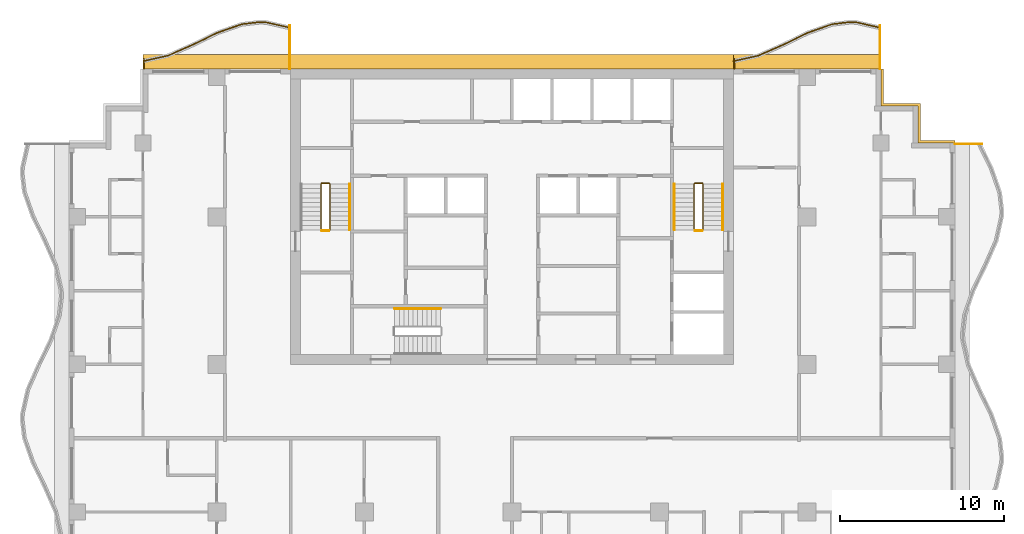
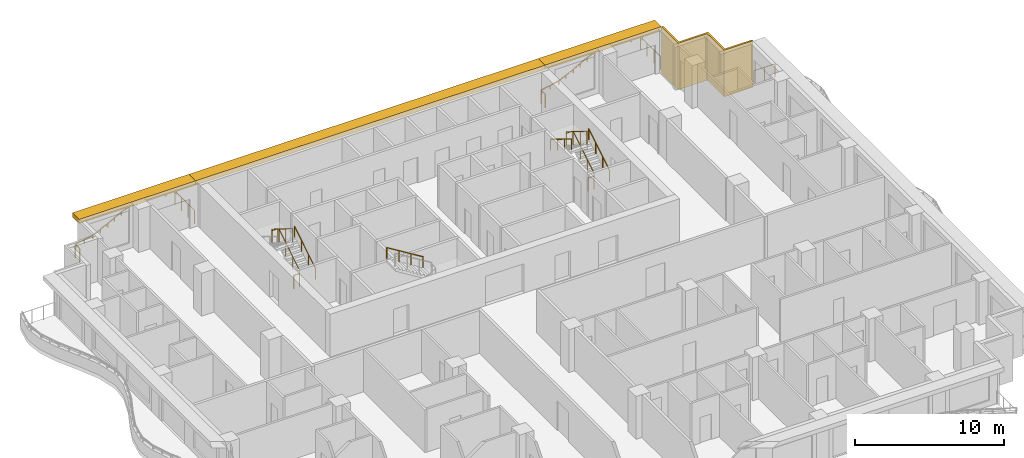
# One storey, part 12 of 12: 15 railings, 4 shading devices.
"""IFC4 building model written with IfcOpenShell, lengths in metres."""

import ifcopenshell
import ifcopenshell.guid

model = None  # the IFC model being written
_history = None  # IfcOwnerHistory: only IFC2X3 demands one
_inside = {}  # id of a spatial element -> (the spatial element, [elements in it])
_under = {}  # id of a project, library or spatial element -> (it, [spatial elements below it])
_declared = {}  # id of a project -> (the project, [libraries it declares])
_typed = {}  # id of a type object -> (the type object, [elements of that type])
_made_of = {}  # id of a material, layer set ... -> (it, [elements and type objects made of it])


def new_model(schema):
    """Start an empty IFC model of exactly this schema.

    Asked for "IFC4X3", IfcOpenShell would pick the latest addendum, in which some entities
    have other attributes; the version numbers below select the first issue.
    IFC2X3 requires an IfcOwnerHistory on every rooted entity: one is made here for all.
    """
    global model, _history
    if schema == "IFC4X3":
        model = ifcopenshell.file(schema_version=(4, 3, 0, 0))
    else:
        model = ifcopenshell.file(schema=schema)
    _inside.clear()
    _under.clear()
    _declared.clear()
    _typed.clear()
    _made_of.clear()
    _history = None
    if model.schema == "IFC2X3":
        org = make("IfcOrganization", Name="unknown")
        user = make(
            "IfcPersonAndOrganization",
            ThePerson=make("IfcPerson", FamilyName="unknown"),
            TheOrganization=org,
        )
        app = make(
            "IfcApplication",
            ApplicationDeveloper=org,
            Version="unknown",
            ApplicationFullName="unknown",
            ApplicationIdentifier="unknown",
        )
        _history = make(
            "IfcOwnerHistory",
            OwningUser=user,
            OwningApplication=app,
            ChangeAction="ADDED",
            CreationDate=0,
        )
    return model


def make(cls, **values):
    """One entity of the class cls with the attributes given. An attribute that is None is left unset."""
    return model.create_entity(
        cls, **{name: value for name, value in values.items() if value is not None}
    )


def rooted(cls, **values):
    """An entity with a GlobalId (a new one), such as an element, a storey or a relation."""
    return make(cls, GlobalId=ifcopenshell.guid.new(), OwnerHistory=_history, **values)


def si_unit(unit_type, name, prefix=None):
    """IfcSIUnit, for example si_unit("LENGTHUNIT", "METRE", prefix="MILLI")."""
    return make("IfcSIUnit", UnitType=unit_type, Prefix=prefix, Name=name)


def assignment(units):
    """IfcUnitAssignment: the units of a project."""
    return None if units is None else make("IfcUnitAssignment", Units=units)


def point(xyz):
    """IfcCartesianPoint."""
    return None if xyz is None else make("IfcCartesianPoint", Coordinates=xyz)


def direction(xyz):
    """IfcDirection."""
    return None if xyz is None else make("IfcDirection", DirectionRatios=xyz)


def frame(location, z_axis=None, x_axis=None):
    """IfcAxis2Placement3D, a coordinate frame: its origin and axes. An axis left out is left unset."""
    return make(
        "IfcAxis2Placement3D",
        Location=point(location),
        Axis=direction(z_axis),
        RefDirection=direction(x_axis),
    )


def frame_2d(location, x_axis=None):
    """IfcAxis2Placement2D, a coordinate frame in the plane: its origin and x axis."""
    return make(
        "IfcAxis2Placement2D", Location=point(location), RefDirection=direction(x_axis)
    )


def origin():
    """The frame at (0, 0, 0) with its axes left unset."""
    return frame((0.0, 0.0, 0.0))


def origin_2d():
    """The frame at (0, 0) in the plane with its x axis left unset."""
    return frame_2d((0.0, 0.0))


def place(relative_to, where):
    """IfcLocalPlacement: puts the frame where relative to a parent placement (None: the world)."""
    return make(
        "IfcLocalPlacement", PlacementRelTo=relative_to, RelativePlacement=where
    )


def context(
    kind, dimensions, precision=None, world=None, true_north=None, identifier=None
):
    """IfcGeometricRepresentationContext, for example the 3D "Model" context."""
    return make(
        "IfcGeometricRepresentationContext",
        ContextIdentifier=identifier,
        ContextType=kind,
        CoordinateSpaceDimension=dimensions,
        Precision=precision,
        WorldCoordinateSystem=world,
        TrueNorth=true_north,
    )


def subcontext(parent, identifier, kind, view, scale=None):
    """IfcGeometricRepresentationSubContext, for example "Body" below "Model"."""
    return make(
        "IfcGeometricRepresentationSubContext",
        ContextIdentifier=identifier,
        ContextType=kind,
        ParentContext=parent,
        TargetScale=scale,
        TargetView=view,
    )


def project(units=None, contexts=None):
    """IfcProject with its units and contexts."""
    return rooted(
        "IfcProject",
        Name="project",
        RepresentationContexts=contexts,
        UnitsInContext=assignment(units),
    )


def spatial(cls, under=None, at=None, **own):
    """A site, building, storey or space (cls), placed at a placement, below another one or the project."""
    s = rooted(cls, ObjectPlacement=at, **own)
    if under is not None:
        _under.setdefault(under.id(), (under, []))[1].append(s)
    return s


def polyline(points):
    """IfcPolyline through the points."""
    return make("IfcPolyline", Points=[point(p) for p in points])


def profile(cls, at=None, kind="AREA", **sizes):
    """A parametric profile (cls). Its sizes go by their IFC names, for example OverallWidth=200.0."""
    return make(cls, ProfileType=kind, Position=at, **sizes)


def rectangle(**sizes):
    """IfcRectangleProfileDef."""
    return profile("IfcRectangleProfileDef", **sizes)


def circle(**sizes):
    """IfcCircleProfileDef."""
    return profile("IfcCircleProfileDef", **sizes)


def outline(outer, holes=None, kind="AREA"):
    """IfcArbitraryClosedProfileDef: a profile drawn as a closed curve; with holes, ...WithVoids."""
    if holes is None:
        return make("IfcArbitraryClosedProfileDef", ProfileType=kind, OuterCurve=outer)
    return make(
        "IfcArbitraryProfileDefWithVoids",
        ProfileType=kind,
        OuterCurve=outer,
        InnerCurves=holes,
    )


def extrude(swept, where, along, depth):
    """IfcExtrudedAreaSolid: the profile swept, set in the frame where, extruded along a direction by depth."""
    return make(
        "IfcExtrudedAreaSolid",
        SweptArea=swept,
        Position=where,
        ExtrudedDirection=direction(along),
        Depth=depth,
    )


def shape(context_of_items, identifier, shape_type, items):
    """IfcShapeRepresentation: the items that make up one representation, for example the "Body"."""
    return make(
        "IfcShapeRepresentation",
        ContextOfItems=context_of_items,
        RepresentationIdentifier=identifier,
        RepresentationType=shape_type,
        Items=items,
    )


def material(Name=None, Category=None):
    """IfcMaterial."""
    return make("IfcMaterial", Name=Name, Category=Category)


def layer(
    of_material, thickness, ventilated=None, Name=None, Category=None, Priority=None
):
    """IfcMaterialLayer: one layer of a wall or slab, of a material (None: an air gap)."""
    return make(
        "IfcMaterialLayer",
        Material=of_material,
        LayerThickness=thickness,
        IsVentilated=ventilated,
        Name=Name,
        Category=Category,
        Priority=Priority,
    )


def layer_set(layers, Name=None):
    """IfcMaterialLayerSet."""
    return make("IfcMaterialLayerSet", MaterialLayers=layers, LayerSetName=Name)


def made_of(thing, what):
    """Note that an element or type object is made of a material, layer set ...; save() writes the relation."""
    if what is not None:
        _made_of.setdefault(what.id(), (what, []))[1].append(thing)
    return thing


def type_object(cls, material=None, **own):
    """A type object (cls), such as IfcWallType, which elements share."""
    return made_of(rooted(cls, **own), material)


def element(
    cls,
    number,
    at=None,
    inside=None,
    cuts=None,
    type_object=None,
    material=None,
    context=None,
    identifier="Body",
    shape_type=None,
    held_by="IfcProductDefinitionShape",
    body=None,
    shapes=None,
    **own,
):
    """One element of the class cls, such as IfcWall. Its Tag is "e" and its number.

    at: its placement. inside: the storey or other place that contains it. cuts: it is an
    opening in that element (IfcRelVoidsElement). A single representation is given by context,
    identifier, shape_type and body (its items); several are given by shapes. held_by: the class
    of the entity that holds the representations. save() writes the other relations.
    """
    e = rooted(cls, Tag="e%d" % number, ObjectPlacement=at, **own)
    if body is not None:
        shapes = [shape(context, identifier, shape_type, body)]
    if shapes is not None:
        e.Representation = make(held_by, Representations=shapes)
    if inside is not None:
        _inside.setdefault(inside.id(), (inside, []))[1].append(e)
    if cuts is not None:
        rooted(
            "IfcRelVoidsElement", RelatingBuildingElement=cuts, RelatedOpeningElement=e
        )
    if type_object is not None:
        _typed.setdefault(type_object.id(), (type_object, []))[1].append(e)
    return made_of(e, material)


def aggregate(whole, parts):
    """IfcRelAggregates: a whole, such as a stair, and the parts it consists of."""
    return rooted("IfcRelAggregates", RelatingObject=whole, RelatedObjects=parts)


def save(model, path):
    """Write the relations noted so far, then the file.

    IfcRelAggregates (storeys below a building ...), IfcRelContainedInSpatialStructure (elements
    in a storey), IfcRelDefinesByType, IfcRelAssociatesMaterial and IfcRelDeclares: one each for
    every whole, place, type object, material and project.
    """
    for whole, parts in _under.values():
        aggregate(whole, parts)
    for where, things in _inside.values():
        rooted(
            "IfcRelContainedInSpatialStructure",
            RelatedElements=things,
            RelatingStructure=where,
        )
    for kind, things in _typed.values():
        rooted("IfcRelDefinesByType", RelatedObjects=things, RelatingType=kind)
    for what, things in _made_of.values():
        rooted("IfcRelAssociatesMaterial", RelatedObjects=things, RelatingMaterial=what)
    for by, libraries in _declared.values():
        rooted("IfcRelDeclares", RelatingContext=by, RelatedDefinitions=libraries)
    model.write(path)


model = new_model("IFC4")

# Units and contexts
model_context = context("Model", 3, precision=1e-05, world=origin(), true_north=direction((0.0, 1.0)))
body_context = subcontext(model_context, "Body", "Model", "MODEL_VIEW")
ifc_project = project(units=[si_unit("LENGTHUNIT", "METRE"), si_unit("AREAUNIT", "SQUARE_METRE"), si_unit("VOLUMEUNIT", "CUBIC_METRE"), si_unit("PLANEANGLEUNIT", "RADIAN"), si_unit("MASSUNIT", "GRAM", prefix="KILO")], contexts=[model_context])

# Site, building, storey
site_placement = place(None, origin())
site = spatial("IfcSite", under=ifc_project, at=site_placement, CompositionType="ELEMENT")
building_placement = place(site_placement, origin())
building = spatial("IfcBuilding", under=site, at=building_placement, Name="Orbiselva Terraces", CompositionType="ELEMENT")
storey_placement = place(building_placement, frame((0.0, 0.0, 214.8)))
storey = spatial("IfcBuildingStorey", under=building, at=storey_placement, Name="L54", CompositionType="ELEMENT", Elevation=214.8)

# Railings
ifc_material_1 = material(Name="Stainless steel", Category="steel")
railing_type_1 = type_object("IfcRailingType", Name="CORE-GUARD-1100", PredefinedType="GUARDRAIL", material=ifc_material_1)
railing_1_placement = place(storey_placement, frame((-11.1, 12.7, 0.172727)))
element("IfcRailing", 1, at=railing_1_placement, inside=storey, type_object=railing_type_1, Name="L54 S1 stair guard 1", PredefinedType="GUARDRAIL", context=body_context, shape_type="SweptSolid", body=[
    extrude(circle(Radius=0.024, at=origin_2d()), frame((0.0, 0.0, 1.081), z_axis=(0.0, 0.851088519012, 0.52502222125), x_axis=(-1.0, 0.0, 0.0)), (0.0, 0.0, 1.0), 3.289905),
    extrude(circle(Radius=0.024, at=origin_2d()), frame((0.0, 2.8, 2.808273), z_axis=(-0.707106781187, 0.707106781187, 0.0), x_axis=(-0.707106781187, -0.707106781187, 0.0)), (0.0, 0.0, 1.0), 0.070711),
    extrude(circle(Radius=0.024, at=origin_2d()), frame((-0.05, 2.85, 2.808273), z_axis=(-1.0, 0.0, 0.0), x_axis=(0.0, -1.0, 0.0)), (0.0, 0.0, 1.0), 0.45),
    extrude(circle(Radius=0.024, at=origin_2d()), frame((-0.5, 2.85, 2.808273), z_axis=(-0.267894925557, -0.267894925557, 0.925453736133), x_axis=(0.707106781187, -0.707106781187, 0.0)), (0.0, 0.0, 1.0), 0.18664),
    extrude(circle(Radius=0.024, at=origin_2d()), frame((-0.55, 2.8, 2.981), z_axis=(0.0, -0.851088519012, 0.52502222125), x_axis=(1.0, 0.0, 0.0)), (0.0, 0.0, 1.0), 3.289905),
    extrude(circle(Radius=0.021, at=origin_2d()), origin(), (0.0, 0.0, 1.0), 1.057),
    extrude(circle(Radius=0.021, at=origin_2d()), frame((0.0, 0.933333, 0.575758)), (0.0, 0.0, 1.0), 1.057),
    extrude(circle(Radius=0.021, at=origin_2d()), frame((0.0, 1.866667, 1.151515)), (0.0, 0.0, 1.0), 1.057),
    extrude(circle(Radius=0.021, at=origin_2d()), frame((0.0, 2.8, 1.727273)), (0.0, 0.0, 1.0), 1.057),
    extrude(circle(Radius=0.021, at=origin_2d()), frame((-0.05, 2.85, 1.727273)), (0.0, 0.0, 1.0), 1.057),
    extrude(circle(Radius=0.021, at=origin_2d()), frame((-0.5, 2.85, 1.727273)), (0.0, 0.0, 1.0), 1.057),
    extrude(circle(Radius=0.021, at=origin_2d()), frame((-0.55, 2.8, 1.9)), (0.0, 0.0, 1.0), 1.057),
    extrude(circle(Radius=0.021, at=origin_2d()), frame((-0.55, 1.866667, 2.475758)), (0.0, 0.0, 1.0), 1.057),
    extrude(circle(Radius=0.021, at=origin_2d()), frame((-0.55, 0.933333, 3.051515)), (0.0, 0.0, 1.0), 1.057),
    extrude(circle(Radius=0.021, at=origin_2d()), frame((-0.55, 0.0, 3.627273)), (0.0, 0.0, 1.0), 1.057),
])
railing_2_placement = place(storey_placement, frame((-11.15, 12.65, 0.0)))
element("IfcRailing", 2, at=railing_2_placement, inside=storey, type_object=railing_type_1, Name="L54 S1 stair guard 2", PredefinedType="GUARDRAIL", context=body_context, shape_type="SweptSolid", body=[
    extrude(circle(Radius=0.024, at=origin_2d()), frame((0.0, 0.0, 1.081), z_axis=(-1.0, 0.0, 0.0), x_axis=(0.0, -1.0, 0.0)), (0.0, 0.0, 1.0), 0.45),
    extrude(circle(Radius=0.021, at=origin_2d()), origin(), (0.0, 0.0, 1.0), 1.057),
    extrude(circle(Radius=0.021, at=origin_2d()), frame((-0.45, 0.0, 0.0)), (0.0, 0.0, 1.0), 1.057),
])
railing_3_placement = place(storey_placement, frame((11.65, 12.7, 0.172727)))
element("IfcRailing", 3, at=railing_3_placement, inside=storey, type_object=railing_type_1, Name="L54 S2 stair guard 1", PredefinedType="GUARDRAIL", context=body_context, shape_type="SweptSolid", body=[
    extrude(circle(Radius=0.024, at=origin_2d()), frame((0.0, 0.0, 1.081), z_axis=(0.0, 0.851088519012, 0.52502222125), x_axis=(-1.0, 0.0, 0.0)), (0.0, 0.0, 1.0), 3.289905),
    extrude(circle(Radius=0.024, at=origin_2d()), frame((0.0, 2.8, 2.808273), z_axis=(-0.707106781187, 0.707106781187, 0.0), x_axis=(-0.707106781187, -0.707106781187, 0.0)), (0.0, 0.0, 1.0), 0.070711),
    extrude(circle(Radius=0.024, at=origin_2d()), frame((-0.05, 2.85, 2.808273), z_axis=(-1.0, 0.0, 0.0), x_axis=(0.0, -1.0, 0.0)), (0.0, 0.0, 1.0), 0.45),
    extrude(circle(Radius=0.024, at=origin_2d()), frame((-0.5, 2.85, 2.808273), z_axis=(-0.267894925557, -0.267894925557, 0.925453736133), x_axis=(0.707106781187, -0.707106781187, 0.0)), (0.0, 0.0, 1.0), 0.18664),
    extrude(circle(Radius=0.024, at=origin_2d()), frame((-0.55, 2.8, 2.981), z_axis=(0.0, -0.851088519012, 0.52502222125), x_axis=(1.0, 0.0, 0.0)), (0.0, 0.0, 1.0), 3.289905),
    extrude(circle(Radius=0.021, at=origin_2d()), origin(), (0.0, 0.0, 1.0), 1.057),
    extrude(circle(Radius=0.021, at=origin_2d()), frame((0.0, 0.933333, 0.575758)), (0.0, 0.0, 1.0), 1.057),
    extrude(circle(Radius=0.021, at=origin_2d()), frame((0.0, 1.866667, 1.151515)), (0.0, 0.0, 1.0), 1.057),
    extrude(circle(Radius=0.021, at=origin_2d()), frame((0.0, 2.8, 1.727273)), (0.0, 0.0, 1.0), 1.057),
    extrude(circle(Radius=0.021, at=origin_2d()), frame((-0.05, 2.85, 1.727273)), (0.0, 0.0, 1.0), 1.057),
    extrude(circle(Radius=0.021, at=origin_2d()), frame((-0.5, 2.85, 1.727273)), (0.0, 0.0, 1.0), 1.057),
    extrude(circle(Radius=0.021, at=origin_2d()), frame((-0.55, 2.8, 1.9)), (0.0, 0.0, 1.0), 1.057),
    extrude(circle(Radius=0.021, at=origin_2d()), frame((-0.55, 1.866667, 2.475758)), (0.0, 0.0, 1.0), 1.057),
    extrude(circle(Radius=0.021, at=origin_2d()), frame((-0.55, 0.933333, 3.051515)), (0.0, 0.0, 1.0), 1.057),
    extrude(circle(Radius=0.021, at=origin_2d()), frame((-0.55, 0.0, 3.627273)), (0.0, 0.0, 1.0), 1.057),
])
railing_4_placement = place(storey_placement, frame((11.6, 12.65, 0.0)))
element("IfcRailing", 4, at=railing_4_placement, inside=storey, type_object=railing_type_1, Name="L54 S2 stair guard 2", PredefinedType="GUARDRAIL", context=body_context, shape_type="SweptSolid", body=[
    extrude(circle(Radius=0.024, at=origin_2d()), frame((0.0, 0.0, 1.081), z_axis=(-1.0, 0.0, 0.0), x_axis=(0.0, -1.0, 0.0)), (0.0, 0.0, 1.0), 0.45),
    extrude(circle(Radius=0.021, at=origin_2d()), origin(), (0.0, 0.0, 1.0), 1.057),
    extrude(circle(Radius=0.021, at=origin_2d()), frame((-0.45, 0.0, 0.0)), (0.0, 0.0, 1.0), 1.057),
])
railing_type_2 = type_object("IfcRailingType", Name="CORE-HANDRAIL-900", PredefinedType="HANDRAIL", material=ifc_material_1)
for number, where, name in (
    (5, (-9.9, 12.7, 0.172727), "L54 S1 stair handrail 1"),
    (6, (12.85, 12.7, 0.172727), "L54 S2 stair handrail 1"),
):
    element("IfcRailing", number, at=place(storey_placement, frame(where)), inside=storey, type_object=railing_type_2, Name=name, PredefinedType="HANDRAIL", context=body_context, shape_type="SweptSolid", body=[
        extrude(circle(Radius=0.024, at=origin_2d()), frame((0.0, 0.0, 0.876), z_axis=(0.0, 0.851088519012, 0.52502222125), x_axis=(-1.0, 0.0, 0.0)), (0.0, 0.0, 1.0), 3.289905),
        extrude(circle(Radius=0.021, at=origin_2d()), origin(), (0.0, 0.0, 1.0), 0.852),
        extrude(circle(Radius=0.021, at=origin_2d()), frame((0.0, 0.933333, 0.575758)), (0.0, 0.0, 1.0), 0.852),
        extrude(circle(Radius=0.021, at=origin_2d()), frame((0.0, 1.866667, 1.151515)), (0.0, 0.0, 1.0), 0.852),
        extrude(circle(Radius=0.021, at=origin_2d()), frame((0.0, 2.8, 1.727273)), (0.0, 0.0, 1.0), 0.852),
    ])
railing_5_placement = place(storey_placement, frame((9.9, 15.5, 2.072727)))
element("IfcRailing", 7, at=railing_5_placement, inside=storey, type_object=railing_type_2, Name="L54 S2 stair handrail 2", PredefinedType="HANDRAIL", context=body_context, shape_type="SweptSolid", body=[
    extrude(circle(Radius=0.024, at=origin_2d()), frame((0.0, 0.0, 0.876), z_axis=(0.0, -0.851088519012, 0.52502222125), x_axis=(1.0, 0.0, 0.0)), (0.0, 0.0, 1.0), 3.289905),
    extrude(circle(Radius=0.021, at=origin_2d()), origin(), (0.0, 0.0, 1.0), 0.852),
    extrude(circle(Radius=0.021, at=origin_2d()), frame((0.0, -0.933333, 0.575758)), (0.0, 0.0, 1.0), 0.852),
    extrude(circle(Radius=0.021, at=origin_2d()), frame((0.0, -1.866667, 1.151515)), (0.0, 0.0, 1.0), 0.852),
    extrude(circle(Radius=0.021, at=origin_2d()), frame((0.0, -2.8, 1.727273)), (0.0, 0.0, 1.0), 0.852),
])
railing_6_placement = place(storey_placement, frame((-4.35, 7.9, 2.072727)))
element("IfcRailing", 8, at=railing_6_placement, inside=storey, type_object=railing_type_2, Name="L54 S3 stair handrail 2", PredefinedType="HANDRAIL", context=body_context, shape_type="SweptSolid", body=[
    extrude(circle(Radius=0.024, at=origin_2d()), frame((0.0, 0.0, 0.876), z_axis=(-0.851088519012, 0.0, 0.52502222125), x_axis=(0.0, -1.0, 0.0)), (0.0, 0.0, 1.0), 3.289905),
    extrude(circle(Radius=0.021, at=origin_2d()), origin(), (0.0, 0.0, 1.0), 0.852),
    extrude(circle(Radius=0.021, at=origin_2d()), frame((-0.933333, 0.0, 0.575758)), (0.0, 0.0, 1.0), 0.852),
    extrude(circle(Radius=0.021, at=origin_2d()), frame((-1.866667, 0.0, 1.151515)), (0.0, 0.0, 1.0), 0.852),
    extrude(circle(Radius=0.021, at=origin_2d()), frame((-2.8, 0.0, 1.727273)), (0.0, 0.0, 1.0), 0.852),
])
ifc_material_2 = material(Name="Bonded two-ply safety glass balustrade, stainless steel posts", Category="steel")
railing_type_3 = type_object("IfcRailingType", Name="ENV-BALUSTRADE-1200", PredefinedType="BALUSTRADE", material=ifc_material_2)
railing_7_placement = place(storey_placement, frame((22.472623, 25.026563, 0.9)))
element("IfcRailing", 9, at=railing_7_placement, inside=storey, type_object=railing_type_3, Name="Balcony balustrade L54 NE", PredefinedType="BALUSTRADE", context=body_context, shape_type="SweptSolid", body=[
    extrude(outline(polyline([(0.028868, 0.0), (0.014434, 0.025), (-0.014434, 0.025), (-0.028868, 0.0), (-0.014434, -0.025), (0.014434, -0.025), (0.028868, 0.0)])), frame((0.0, 0.0, 0.275), z_axis=(-0.975721322437, 0.21901575501, 0.0), x_axis=(-0.21901575501, -0.975721322437, 0.0)), (0.0, 0.0, 1.0), 1.525954),
    extrude(outline(polyline([(0.028868, 0.0), (0.014434, 0.025), (-0.014434, 0.025), (-0.028868, 0.0), (-0.014434, -0.025), (0.014434, -0.025), (0.028868, 0.0)])), frame((-1.488906, 0.334208, 0.275), z_axis=(-0.999224931454, 0.039364150694, 0.0), x_axis=(-0.039364150694, -0.999224931454, 0.0)), (0.0, 0.0, 1.0), 0.354206),
    extrude(outline(polyline([(0.028868, 0.0), (0.014434, 0.025), (-0.014434, 0.025), (-0.028868, 0.0), (-0.014434, -0.025), (0.014434, -0.025), (0.028868, 0.0)])), frame((-1.842837, 0.348151, 0.275), z_axis=(-0.993309658409, -0.115481264762, 0.0), x_axis=(0.115481264762, -0.993309658409, 0.0)), (0.0, 0.0, 1.0), 1.10902),
    extrude(outline(polyline([(0.028868, 0.0), (0.014434, 0.025), (-0.014434, 0.025), (-0.028868, 0.0), (-0.014434, -0.025), (0.014434, -0.025), (0.028868, 0.0)])), frame((-2.944437, 0.22008, 0.275), z_axis=(-0.943972277814, -0.330024754707, 0.0), x_axis=(0.330024754707, -0.943972277814, 0.0)), (0.0, 0.0, 1.0), 1.567807),
    extrude(outline(polyline([(0.028868, 0.0), (0.014434, 0.025), (-0.014434, 0.025), (-0.028868, 0.0), (-0.014434, -0.025), (0.014434, -0.025), (0.028868, 0.0)])), frame((-4.424403, -0.297335, 0.275), z_axis=(-0.89857890432, -0.438811978768, 0.0), x_axis=(0.438811978768, -0.89857890432, 0.0)), (0.0, 0.0, 1.0), 1.66438),
    extrude(outline(polyline([(0.028868, 0.0), (0.014434, 0.025), (-0.014434, 0.025), (-0.028868, 0.0), (-0.014434, -0.025), (0.014434, -0.025), (0.028868, 0.0)])), frame((-5.91998, -1.027685, 0.275), z_axis=(-0.915133527237, -0.403150874148, 0.0), x_axis=(0.403150874148, -0.915133527237, 0.0)), (0.0, 0.0, 1.0), 1.653736),
    extrude(outline(polyline([(0.028868, 0.0), (0.014434, 0.025), (-0.014434, 0.025), (-0.028868, 0.0), (-0.014434, -0.025), (0.014434, -0.025), (0.028868, 0.0)])), frame((-7.433369, -1.69439, 0.275), z_axis=(-0.975721349543, -0.219015634252, 0.0), x_axis=(0.219015634252, -0.975721349543, 0.0)), (0.0, 0.0, 1.0), 1.549497),
    extrude(rectangle(XDim=0.05, YDim=0.05, at=origin_2d()), origin(), (0.0, 0.0, 1.0), 0.25),
    extrude(rectangle(XDim=0.05, YDim=0.05, at=origin_2d()), frame((-0.744453, 0.167104, 0.0)), (0.0, 0.0, 1.0), 0.25),
    extrude(rectangle(XDim=0.05, YDim=0.05, at=origin_2d()), frame((-1.488906, 0.334208, 0.0)), (0.0, 0.0, 1.0), 0.25),
    extrude(rectangle(XDim=0.05, YDim=0.05, at=origin_2d()), frame((-1.842837, 0.348151, 0.0)), (0.0, 0.0, 1.0), 0.25),
    extrude(rectangle(XDim=0.05, YDim=0.05, at=origin_2d()), frame((-2.944437, 0.22008, 0.0)), (0.0, 0.0, 1.0), 0.25),
    extrude(rectangle(XDim=0.05, YDim=0.05, at=origin_2d()), frame((-3.68442, -0.038628, 0.0)), (0.0, 0.0, 1.0), 0.25),
    extrude(rectangle(XDim=0.05, YDim=0.05, at=origin_2d()), frame((-4.424403, -0.297335, 0.0)), (0.0, 0.0, 1.0), 0.25),
    extrude(rectangle(XDim=0.05, YDim=0.05, at=origin_2d()), frame((-5.172191, -0.66251, 0.0)), (0.0, 0.0, 1.0), 0.25),
    extrude(rectangle(XDim=0.05, YDim=0.05, at=origin_2d()), frame((-5.91998, -1.027685, 0.0)), (0.0, 0.0, 1.0), 0.25),
    extrude(rectangle(XDim=0.05, YDim=0.05, at=origin_2d()), frame((-6.676674, -1.361037, 0.0)), (0.0, 0.0, 1.0), 0.25),
    extrude(rectangle(XDim=0.05, YDim=0.05, at=origin_2d()), frame((-7.433369, -1.69439, 0.0)), (0.0, 0.0, 1.0), 0.25),
    extrude(rectangle(XDim=0.05, YDim=0.05, at=origin_2d()), frame((-8.189307, -1.864072, 0.0)), (0.0, 0.0, 1.0), 0.25),
    extrude(rectangle(XDim=0.05, YDim=0.05, at=origin_2d()), frame((-8.945246, -2.033754, 0.0)), (0.0, 0.0, 1.0), 0.25),
])
railing_8_placement = place(storey_placement, frame((-13.527377, 25.026563, 0.9)))
element("IfcRailing", 10, at=railing_8_placement, inside=storey, type_object=railing_type_3, Name="Balcony balustrade L54 NW", PredefinedType="BALUSTRADE", context=body_context, shape_type="SweptSolid", body=[
    extrude(outline(polyline([(0.028868, 0.0), (0.014434, 0.025), (-0.014434, 0.025), (-0.028868, 0.0), (-0.014434, -0.025), (0.014434, -0.025), (0.028868, 0.0)])), frame((0.0, 0.0, 0.275), z_axis=(-0.975721322437, 0.21901575501, 0.0), x_axis=(-0.21901575501, -0.975721322437, 0.0)), (0.0, 0.0, 1.0), 1.525954),
    extrude(outline(polyline([(0.028868, 0.0), (0.014434, 0.025), (-0.014434, 0.025), (-0.028868, 0.0), (-0.014434, -0.025), (0.014434, -0.025), (0.028868, 0.0)])), frame((-1.488906, 0.334208, 0.275), z_axis=(-0.999224931454, 0.039364150694, 0.0), x_axis=(-0.039364150694, -0.999224931454, 0.0)), (0.0, 0.0, 1.0), 0.354206),
    extrude(outline(polyline([(0.028868, 0.0), (0.014434, 0.025), (-0.014434, 0.025), (-0.028868, 0.0), (-0.014434, -0.025), (0.014434, -0.025), (0.028868, 0.0)])), frame((-1.842837, 0.348151, 0.275), z_axis=(-0.993309658409, -0.115481264762, 0.0), x_axis=(0.115481264762, -0.993309658409, 0.0)), (0.0, 0.0, 1.0), 1.10902),
    extrude(outline(polyline([(0.028868, 0.0), (0.014434, 0.025), (-0.014434, 0.025), (-0.028868, 0.0), (-0.014434, -0.025), (0.014434, -0.025), (0.028868, 0.0)])), frame((-2.944437, 0.22008, 0.275), z_axis=(-0.943972277814, -0.330024754707, 0.0), x_axis=(0.330024754707, -0.943972277814, 0.0)), (0.0, 0.0, 1.0), 1.567807),
    extrude(outline(polyline([(0.028868, 0.0), (0.014434, 0.025), (-0.014434, 0.025), (-0.028868, 0.0), (-0.014434, -0.025), (0.014434, -0.025), (0.028868, 0.0)])), frame((-4.424403, -0.297335, 0.275), z_axis=(-0.89857890432, -0.438811978768, 0.0), x_axis=(0.438811978768, -0.89857890432, 0.0)), (0.0, 0.0, 1.0), 1.66438),
    extrude(outline(polyline([(0.028868, 0.0), (0.014434, 0.025), (-0.014434, 0.025), (-0.028868, 0.0), (-0.014434, -0.025), (0.014434, -0.025), (0.028868, 0.0)])), frame((-5.91998, -1.027685, 0.275), z_axis=(-0.915133527237, -0.403150874148, 0.0), x_axis=(0.403150874148, -0.915133527237, 0.0)), (0.0, 0.0, 1.0), 1.653736),
    extrude(outline(polyline([(0.028868, 0.0), (0.014434, 0.025), (-0.014434, 0.025), (-0.028868, 0.0), (-0.014434, -0.025), (0.014434, -0.025), (0.028868, 0.0)])), frame((-7.433369, -1.69439, 0.275), z_axis=(-0.975721349543, -0.219015634252, 0.0), x_axis=(0.219015634252, -0.975721349543, 0.0)), (0.0, 0.0, 1.0), 1.549497),
    extrude(rectangle(XDim=0.05, YDim=0.05, at=origin_2d()), origin(), (0.0, 0.0, 1.0), 0.25),
    extrude(rectangle(XDim=0.05, YDim=0.05, at=origin_2d()), frame((-0.744453, 0.167104, 0.0)), (0.0, 0.0, 1.0), 0.25),
    extrude(rectangle(XDim=0.05, YDim=0.05, at=origin_2d()), frame((-1.488906, 0.334208, 0.0)), (0.0, 0.0, 1.0), 0.25),
    extrude(rectangle(XDim=0.05, YDim=0.05, at=origin_2d()), frame((-1.842837, 0.348151, 0.0)), (0.0, 0.0, 1.0), 0.25),
    extrude(rectangle(XDim=0.05, YDim=0.05, at=origin_2d()), frame((-2.944437, 0.22008, 0.0)), (0.0, 0.0, 1.0), 0.25),
    extrude(rectangle(XDim=0.05, YDim=0.05, at=origin_2d()), frame((-3.68442, -0.038628, 0.0)), (0.0, 0.0, 1.0), 0.25),
    extrude(rectangle(XDim=0.05, YDim=0.05, at=origin_2d()), frame((-4.424403, -0.297335, 0.0)), (0.0, 0.0, 1.0), 0.25),
    extrude(rectangle(XDim=0.05, YDim=0.05, at=origin_2d()), frame((-5.172192, -0.66251, 0.0)), (0.0, 0.0, 1.0), 0.25),
    extrude(rectangle(XDim=0.05, YDim=0.05, at=origin_2d()), frame((-5.91998, -1.027685, 0.0)), (0.0, 0.0, 1.0), 0.25),
    extrude(rectangle(XDim=0.05, YDim=0.05, at=origin_2d()), frame((-6.676675, -1.361037, 0.0)), (0.0, 0.0, 1.0), 0.25),
    extrude(rectangle(XDim=0.05, YDim=0.05, at=origin_2d()), frame((-7.433369, -1.69439, 0.0)), (0.0, 0.0, 1.0), 0.25),
    extrude(rectangle(XDim=0.05, YDim=0.05, at=origin_2d()), frame((-8.189308, -1.864072, 0.0)), (0.0, 0.0, 1.0), 0.25),
    extrude(rectangle(XDim=0.05, YDim=0.05, at=origin_2d()), frame((-8.945246, -2.033754, 0.0)), (0.0, 0.0, 1.0), 0.25),
])
ifc_material_3 = material(Name="Stainless steel rail and posts", Category="steel")
railing_type_4 = type_object("IfcRailingType", Name="ENV-GUARD-1105", PredefinedType="BALUSTRADE", material=ifc_material_3)
railing_9_placement = place(storey_placement, frame((28.642123, 17.94, 0.0)))
element("IfcRailing", 11, at=railing_9_placement, inside=storey, type_object=railing_type_4, Name="Balcony end guard L54 E", PredefinedType="BALUSTRADE", context=body_context, shape_type="SweptSolid", body=[
    extrude(outline(polyline([(0.028868, 0.0), (0.014434, 0.025), (-0.014434, 0.025), (-0.028868, 0.0), (-0.014434, -0.025), (0.014434, -0.025), (0.028868, 0.0)])), frame((0.0, 0.0, 1.08), z_axis=(-1.0, 0.0, 0.0), x_axis=(0.0, -1.0, 0.0)), (0.0, 0.0, 1.0), 1.617123),
    extrude(rectangle(XDim=0.05, YDim=0.05, at=origin_2d()), origin(), (0.0, 0.0, 1.0), 1.055),
    extrude(rectangle(XDim=0.05, YDim=0.05, at=origin_2d()), frame((-0.808562, 0.0, 0.0)), (0.0, 0.0, 1.0), 1.055),
    extrude(rectangle(XDim=0.05, YDim=0.05, at=origin_2d()), frame((-1.617123, 0.0, 0.0)), (0.0, 0.0, 1.0), 1.055),
])
railing_10_placement = place(storey_placement, frame((22.44, 25.169584, 0.0)))
element("IfcRailing", 12, at=railing_10_placement, inside=storey, type_object=railing_type_4, Name="Balcony end guard L54 NE", PredefinedType="BALUSTRADE", context=body_context, shape_type="SweptSolid", body=[
    extrude(outline(polyline([(0.028868, 0.0), (0.014434, 0.025), (-0.014434, 0.025), (-0.028868, 0.0), (-0.014434, -0.025), (0.014434, -0.025), (0.028868, 0.0)])), frame((0.0, 0.0, 1.08), z_axis=(0.0, -1.0, 0.0), x_axis=(1.0, 0.0, 0.0)), (0.0, 0.0, 1.0), 2.644584),
    extrude(rectangle(XDim=0.05, YDim=0.05, at=origin_2d()), origin(), (0.0, 0.0, 1.0), 1.055),
    extrude(rectangle(XDim=0.05, YDim=0.05, at=origin_2d()), frame((0.0, -0.881528, 0.0)), (0.0, 0.0, 1.0), 1.055),
    extrude(rectangle(XDim=0.05, YDim=0.05, at=origin_2d()), frame((0.0, -1.763056, 0.0)), (0.0, 0.0, 1.0), 1.055),
    extrude(rectangle(XDim=0.05, YDim=0.05, at=origin_2d()), frame((0.0, -2.644584, 0.0)), (0.0, 0.0, 1.0), 1.055),
])
railing_11_placement = place(storey_placement, frame((13.56, 23.119866, 0.0)))
element("IfcRailing", 13, at=railing_11_placement, inside=storey, type_object=railing_type_4, Name="Balcony end guard L54 NE", PredefinedType="BALUSTRADE", context=body_context, shape_type="SweptSolid", body=[
    extrude(outline(polyline([(0.028868, 0.0), (0.014434, 0.025), (-0.014434, 0.025), (-0.028868, 0.0), (-0.014434, -0.025), (0.014434, -0.025), (0.028868, 0.0)])), frame((0.0, 0.0, 1.08), z_axis=(0.0, -1.0, 0.0), x_axis=(1.0, 0.0, 0.0)), (0.0, 0.0, 1.0), 0.594866),
    extrude(rectangle(XDim=0.05, YDim=0.05, at=origin_2d()), origin(), (0.0, 0.0, 1.0), 1.055),
    extrude(rectangle(XDim=0.05, YDim=0.05, at=origin_2d()), frame((0.0, -0.594866, 0.0)), (0.0, 0.0, 1.0), 1.055),
])
railing_12_placement = place(storey_placement, frame((-13.56, 25.169584, 0.0)))
element("IfcRailing", 14, at=railing_12_placement, inside=storey, type_object=railing_type_4, Name="Balcony end guard L54 NW", PredefinedType="BALUSTRADE", context=body_context, shape_type="SweptSolid", body=[
    extrude(outline(polyline([(0.028868, 0.0), (0.014434, 0.025), (-0.014434, 0.025), (-0.028868, 0.0), (-0.014434, -0.025), (0.014434, -0.025), (0.028868, 0.0)])), frame((0.0, 0.0, 1.08), z_axis=(0.0, -1.0, 0.0), x_axis=(1.0, 0.0, 0.0)), (0.0, 0.0, 1.0), 2.644584),
    extrude(rectangle(XDim=0.05, YDim=0.05, at=origin_2d()), origin(), (0.0, 0.0, 1.0), 1.055),
    extrude(rectangle(XDim=0.05, YDim=0.05, at=origin_2d()), frame((0.0, -0.881528, 0.0)), (0.0, 0.0, 1.0), 1.055),
    extrude(rectangle(XDim=0.05, YDim=0.05, at=origin_2d()), frame((0.0, -1.763056, 0.0)), (0.0, 0.0, 1.0), 1.055),
    extrude(rectangle(XDim=0.05, YDim=0.05, at=origin_2d()), frame((0.0, -2.644584, 0.0)), (0.0, 0.0, 1.0), 1.055),
])
railing_13_placement = place(storey_placement, frame((-22.44, 23.119866, 0.0)))
element("IfcRailing", 15, at=railing_13_placement, inside=storey, type_object=railing_type_4, Name="Balcony end guard L54 NW", PredefinedType="BALUSTRADE", context=body_context, shape_type="SweptSolid", body=[
    extrude(outline(polyline([(0.028868, 0.0), (0.014434, 0.025), (-0.014434, 0.025), (-0.028868, 0.0), (-0.014434, -0.025), (0.014434, -0.025), (0.028868, 0.0)])), frame((0.0, 0.0, 1.08), z_axis=(0.0, -1.0, 0.0), x_axis=(1.0, 0.0, 0.0)), (0.0, 0.0, 1.0), 0.594866),
    extrude(rectangle(XDim=0.05, YDim=0.05, at=origin_2d()), origin(), (0.0, 0.0, 1.0), 1.055),
    extrude(rectangle(XDim=0.05, YDim=0.05, at=origin_2d()), frame((0.0, -0.594866, 0.0)), (0.0, 0.0, 1.0), 1.055),
])

# Shading devices
ifc_material_4 = material(Name="Terracotta louvre screen", Category="masonry")
ifc_layer_1 = layer(ifc_material_4, 0.15)
ifc_layer_set_1 = layer_set([ifc_layer_1], Name="Terracotta louvre screen")
shading_device_type_1 = type_object("IfcShadingDeviceType", Name="ENV-SCREEN-150", PredefinedType="USERDEFINED", material=ifc_layer_set_1)
shading_device_1_placement = place(storey_placement, frame((0.0, 0.0, -0.3)))
element("IfcShadingDevice", 16, at=shading_device_1_placement, inside=storey, type_object=shading_device_type_1, Name="Louvre screen L54 NE", ObjectType="SCREEN", PredefinedType="USERDEFINED", context=body_context, shape_type="SweptSolid", body=[
    extrude(outline(polyline([(27.0, 18.15), (24.9, 18.15), (24.9, 20.4), (22.65, 20.4), (22.65, 22.5), (22.5, 22.5), (22.5, 20.25), (24.75, 20.25), (24.75, 18.0), (27.0, 18.0), (27.0, 18.15)])), origin(), (0.0, 0.0, 1.0), 3.8),
])
ifc_material_5 = material(Name="Terracotta baguette sunshade", Category="masonry")
ifc_layer_2 = layer(ifc_material_5, 0.35)
ifc_layer_set_2 = layer_set([ifc_layer_2], Name="Terracotta baguette sunshade")
shading_device_type_2 = type_object("IfcShadingDeviceType", Name="ENV-SUNSHADE-900x350", PredefinedType="USERDEFINED", material=ifc_layer_set_2)
shading_device_2_placement = place(storey_placement, frame((0.0, 0.0, 3.15)))
element("IfcShadingDevice", 17, at=shading_device_2_placement, inside=storey, type_object=shading_device_type_2, Name="Sunshade band L54 NE", ObjectType="SUNSHADE", PredefinedType="USERDEFINED", context=body_context, shape_type="SweptSolid", body=[
    extrude(outline(polyline([(22.5, 23.4), (13.5, 23.4), (13.5, 22.5), (22.5, 22.5), (22.5, 23.4)])), origin(), (0.0, 0.0, 1.0), 0.35),
])
shading_device_3_placement = place(storey_placement, frame((0.0, 0.0, 3.15)))
element("IfcShadingDevice", 18, at=shading_device_3_placement, inside=storey, type_object=shading_device_type_2, Name="Sunshade band L54 CORE NORTH", ObjectType="SUNSHADE", PredefinedType="USERDEFINED", context=body_context, shape_type="SweptSolid", body=[
    extrude(outline(polyline([(13.5, 23.4), (-13.5, 23.4), (-13.5, 22.5), (13.5, 22.5), (13.5, 23.4)])), origin(), (0.0, 0.0, 1.0), 0.35),
])
shading_device_4_placement = place(storey_placement, frame((0.0, 0.0, 3.15)))
element("IfcShadingDevice", 19, at=shading_device_4_placement, inside=storey, type_object=shading_device_type_2, Name="Sunshade band L54 NW", ObjectType="SUNSHADE", PredefinedType="USERDEFINED", context=body_context, shape_type="SweptSolid", body=[
    extrude(outline(polyline([(-13.5, 23.4), (-22.5, 23.4), (-22.5, 22.5), (-13.5, 22.5), (-13.5, 23.4)])), origin(), (0.0, 0.0, 1.0), 0.35),
])

save(model, "model.ifc")
